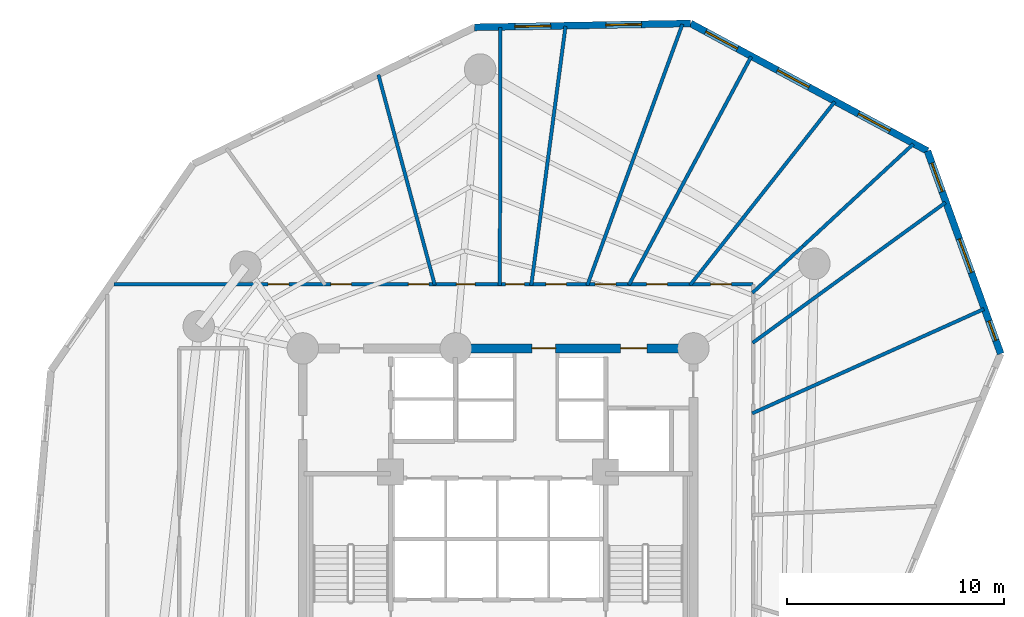
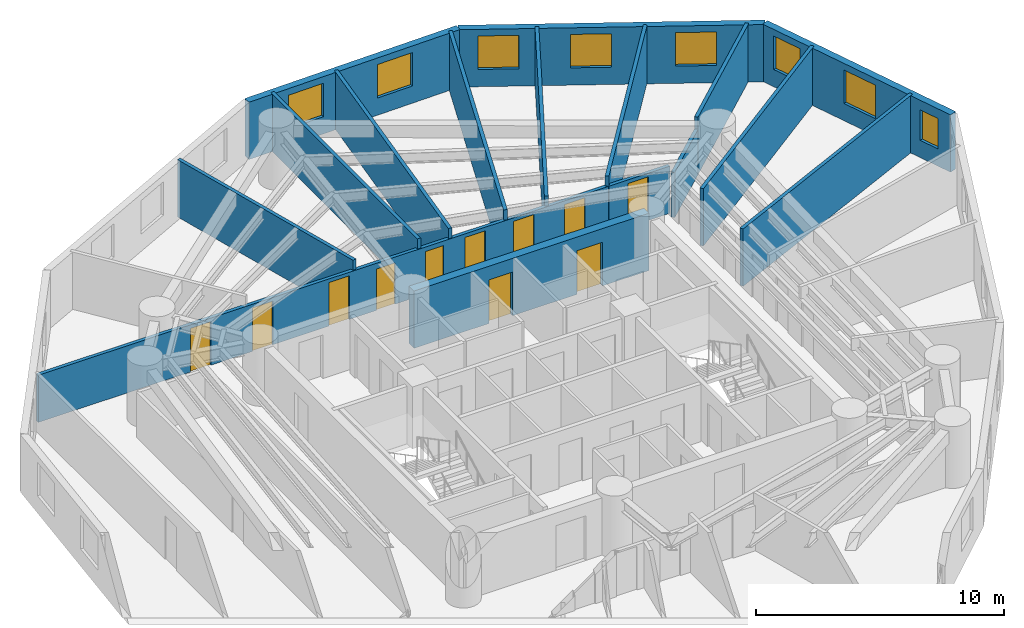
# One storey, part 6 of 8: 15 walls, 11 doors, 8 windows, 19 openings.
"""IFC4 building model written with IfcOpenShell, lengths in metres."""

from ifc_helpers import new_model, si_unit, direction, frame, frame_2d, origin, origin_with_axes, place, context, subcontext, project, spatial, rectangle, extrude, source, transform, mapped, material, layer, layer_set, type_object, element, fill, save


model = new_model("IFC4")

# Units and contexts
model_context = context("Model", 3, precision=1e-05, world=origin(), true_north=direction((0.0, 1.0)))
body_context = subcontext(model_context, "Body", "Model", "MODEL_VIEW")
ifc_project = project(units=[si_unit("LENGTHUNIT", "METRE"), si_unit("AREAUNIT", "SQUARE_METRE"), si_unit("VOLUMEUNIT", "CUBIC_METRE"), si_unit("PLANEANGLEUNIT", "RADIAN"), si_unit("MASSUNIT", "GRAM", prefix="KILO")], contexts=[model_context])

# Site, building, storey
site_placement = place(None, origin())
site = spatial("IfcSite", under=ifc_project, at=site_placement, CompositionType="ELEMENT")
building_placement = place(site_placement, origin())
building = spatial("IfcBuilding", under=site, at=building_placement, Name="Karkom Vertical University and Central Library", CompositionType="ELEMENT")
storey_placement = place(building_placement, frame((0.0, 0.0, 102.300048828125)))
storey = spatial("IfcBuildingStorey", under=building, at=storey_placement, Name="L27", CompositionType="ELEMENT", Elevation=102.300048828125)

# Wall, openings, windows
ifc_material_1 = material(Name="Brick-faced precast concrete C45/55", Category="masonry")
ifc_layer_1 = layer(ifc_material_1, 0.320068359375)
ifc_layer_set_1 = layer_set([ifc_layer_1], Name="Brick-faced precast concrete C45/55")
wall_type_1 = type_object("IfcWallType", Name="ENV-WL-BRK-320", PredefinedType="SOLIDWALL", material=ifc_layer_set_1)
wall_1_placement = place(storey_placement, frame((51.6591796875, 34.454345703125, 0.0), z_axis=(0.0, 0.0, 1.0), x_axis=(-0.339745317677, 0.940517474116, 0.0)))
wall_1 = element("IfcWall", 1, at=wall_1_placement, inside=storey, type_object=wall_type_1, Name="Level 27 Brick-Faced Precast Facade Wall 09", PredefinedType="SOLIDWALL", context=body_context, shape_type="SweptSolid", body=[
    extrude(rectangle(XDim=9.933837890625, YDim=0.320068359375, at=frame_2d((4.966796875, 0.0))), origin(), (0.0, 0.0, 1.0), 2.824951171875),
])
opening_1_placement = place(wall_1_placement, frame((0.65478515625, 0.0, 0.85009765625)))
opening_1 = element("IfcOpeningElement", 2, at=opening_1_placement, cuts=wall_1, Name="Opening WN-12", PredefinedType="OPENING", context=body_context, shape_type="SweptSolid", body=[
    extrude(rectangle(XDim=0.949951171875, YDim=1.5, at=frame_2d((0.47509765625, 0.75))), frame((0.0, 0.169921875, 0.0), z_axis=(0.0, -1.0, 0.0), x_axis=(1.0, 0.0, 0.0)), (0.0, 0.0, 1.0), 0.340087890625),
])
opening_2_placement = place(wall_1_placement, frame((3.978759765625, 0.0, 0.85009765625)))
opening_2 = element("IfcOpeningElement", 3, at=opening_2_placement, cuts=wall_1, Name="Opening WN-06", PredefinedType="OPENING", context=body_context, shape_type="SweptSolid", body=[
    extrude(rectangle(XDim=1.64990234375, YDim=1.64990234375, at=frame_2d((0.824951171875, 0.824951171875))), frame((0.0, 0.169921875, 0.0), z_axis=(0.0, -1.0, 0.0), x_axis=(1.0, 0.0, 0.0)), (0.0, 0.0, 1.0), 0.340087890625),
])
opening_3_placement = place(wall_1_placement, frame((7.94091796875, 0.0, 0.85009765625)))
opening_3 = element("IfcOpeningElement", 4, at=opening_3_placement, cuts=wall_1, Name="Opening WN-07", PredefinedType="OPENING", context=body_context, shape_type="SweptSolid", body=[
    extrude(rectangle(XDim=1.39990234375, YDim=1.64990234375, at=frame_2d((0.699951171875, 0.824951171875))), frame((0.0, 0.169921875, 0.0), z_axis=(0.0, -1.0, 0.0), x_axis=(1.0, 0.0, 0.0)), (0.0, 0.0, 1.0), 0.340087890625),
])
ifc_material_2 = material(Name="Aluminium thermal-break frame with solar-control IGU", Category="aluminium")
window_type_1 = type_object("IfcWindowType", Name="ENV-WIN-WN-06", PartitioningType="SINGLE_PANEL", PredefinedType="WINDOW", material=ifc_material_2)
shared_shape_1 = source(origin_with_axes(), body_context, "Body", "SweptSolid", [
    extrude(rectangle(XDim=1.64990234375, YDim=1.64990234375, at=frame_2d((0.824951171875, 0.824951171875))), frame((0.0, 0.030029296875, 0.0), z_axis=(0.0, -1.0, 0.0), x_axis=(1.0, 0.0, 0.0)), (0.0, 0.0, 1.0), 0.06005859375),
])
window_1_placement = place(opening_2_placement, origin())
window_1 = element("IfcWindow", 5, at=window_1_placement, inside=storey, type_object=window_type_1, Name="Level 27 Punched Window 9.2", OverallHeight=1.64990234375, OverallWidth=1.64990234375, PartitioningType="SINGLE_PANEL", PredefinedType="WINDOW", context=body_context, shape_type="MappedRepresentation", body=[
    mapped(shared_shape_1, transform((0.0, 0.0, 0.0), scale=1.0)),
])
fill(opening_2, window_1)
window_type_2 = type_object("IfcWindowType", Name="ENV-WIN-WN-12", PartitioningType="SINGLE_PANEL", PredefinedType="WINDOW", material=ifc_material_2)
shared_shape_2 = source(origin_with_axes(), body_context, "Body", "SweptSolid", [
    extrude(rectangle(XDim=0.949951171875, YDim=1.5, at=frame_2d((0.47509765625, 0.75))), frame((0.0, 0.030029296875, 0.0), z_axis=(0.0, -1.0, 0.0), x_axis=(1.0, 0.0, 0.0)), (0.0, 0.0, 1.0), 0.06005859375),
])
window_2_placement = place(opening_1_placement, origin())
window_2 = element("IfcWindow", 6, at=window_2_placement, inside=storey, type_object=window_type_2, Name="Level 27 Punched Window 9.1", OverallHeight=1.5, OverallWidth=0.949951171875, PartitioningType="SINGLE_PANEL", PredefinedType="WINDOW", context=body_context, shape_type="MappedRepresentation", body=[
    mapped(shared_shape_2, transform((0.0, 0.0, 0.0), scale=1.0)),
])
fill(opening_1, window_2)
window_type_3 = type_object("IfcWindowType", Name="ENV-WIN-WN-07", PartitioningType="SINGLE_PANEL", PredefinedType="WINDOW", material=ifc_material_2)
shared_shape_3 = source(origin_with_axes(), body_context, "Body", "SweptSolid", [
    extrude(rectangle(XDim=1.39990234375, YDim=1.64990234375, at=frame_2d((0.699951171875, 0.824951171875))), frame((0.0, 0.030029296875, 0.0), z_axis=(0.0, -1.0, 0.0), x_axis=(1.0, 0.0, 0.0)), (0.0, 0.0, 1.0), 0.06005859375),
])
window_3_placement = place(opening_3_placement, origin())
window_3 = element("IfcWindow", 7, at=window_3_placement, inside=storey, type_object=window_type_3, Name="Level 27 Punched Window 9.3", OverallHeight=1.64990234375, OverallWidth=1.39990234375, PartitioningType="SINGLE_PANEL", PredefinedType="WINDOW", context=body_context, shape_type="MappedRepresentation", body=[
    mapped(shared_shape_3, transform((0.0, 0.0, 0.0), scale=1.0)),
])
fill(opening_3, window_3)

wall_2_placement = place(storey_placement, frame((48.2841796875, 43.79736328125, 0.0), z_axis=(0.0, 0.0, 1.0), x_axis=(-0.880488809992, 0.474066931434, 0.0)))
wall_2 = element("IfcWall", 8, at=wall_2_placement, inside=storey, type_object=wall_type_1, Name="Level 27 Brick-Faced Precast Facade Wall 10", PredefinedType="SOLIDWALL", context=body_context, shape_type="SweptSolid", body=[
    extrude(rectangle(XDim=12.393798828125, YDim=0.320068359375, at=frame_2d((6.19677734375, 0.0))), origin(), (0.0, 0.0, 1.0), 2.824951171875),
])
opening_4_placement = place(wall_2_placement, frame((1.96630859375, 0.0, 0.85009765625)))
opening_4 = element("IfcOpeningElement", 9, at=opening_4_placement, cuts=wall_2, Name="Opening WN-06", PredefinedType="OPENING", context=body_context, shape_type="SweptSolid", body=[
    extrude(rectangle(XDim=1.64990234375, YDim=1.64990234375, at=frame_2d((0.824951171875, 0.824951171875))), frame((0.0, 0.169921875, 0.0), z_axis=(0.0, -1.0, 0.0), x_axis=(1.0, 0.0, 0.0)), (0.0, 0.0, 1.0), 0.340087890625),
])
opening_5_placement = place(wall_2_placement, frame((6.203857421875, 0.0, 0.85009765625)))
opening_5 = element("IfcOpeningElement", 10, at=opening_5_placement, cuts=wall_2, Name="Opening WN-06", PredefinedType="OPENING", context=body_context, shape_type="SweptSolid", body=[
    extrude(rectangle(XDim=1.64990234375, YDim=1.64990234375, at=frame_2d((0.824951171875, 0.824951171875))), frame((0.0, 0.169921875, 0.0), z_axis=(0.0, -1.0, 0.0), x_axis=(1.0, 0.0, 0.0)), (0.0, 0.0, 1.0), 0.340087890625),
])
opening_6_placement = place(wall_2_placement, frame((9.94921875, 0.0, 0.85009765625)))
opening_6 = element("IfcOpeningElement", 11, at=opening_6_placement, cuts=wall_2, Name="Opening WN-06", PredefinedType="OPENING", context=body_context, shape_type="SweptSolid", body=[
    extrude(rectangle(XDim=1.64990234375, YDim=1.64990234375, at=frame_2d((0.824951171875, 0.824951171875))), frame((0.0, 0.169921875, 0.0), z_axis=(0.0, -1.0, 0.0), x_axis=(1.0, 0.0, 0.0)), (0.0, 0.0, 1.0), 0.340087890625),
])
window_4_placement = place(opening_4_placement, origin())
window_4 = element("IfcWindow", 12, at=window_4_placement, inside=storey, type_object=window_type_1, Name="Level 27 Punched Window 10.1", OverallHeight=1.64990234375, OverallWidth=1.64990234375, PartitioningType="SINGLE_PANEL", PredefinedType="WINDOW", context=body_context, shape_type="MappedRepresentation", body=[
    mapped(shared_shape_1, transform((0.0, 0.0, 0.0), scale=1.0)),
])
fill(opening_4, window_4)
window_5_placement = place(opening_5_placement, origin())
window_5 = element("IfcWindow", 13, at=window_5_placement, inside=storey, type_object=window_type_1, Name="Level 27 Punched Window 10.2", OverallHeight=1.64990234375, OverallWidth=1.64990234375, PartitioningType="SINGLE_PANEL", PredefinedType="WINDOW", context=body_context, shape_type="MappedRepresentation", body=[
    mapped(shared_shape_1, transform((0.0, 0.0, 0.0), scale=1.0)),
])
fill(opening_5, window_5)
window_6_placement = place(opening_6_placement, origin())
window_6 = element("IfcWindow", 14, at=window_6_placement, inside=storey, type_object=window_type_1, Name="Level 27 Punched Window 10.3", OverallHeight=1.64990234375, OverallWidth=1.64990234375, PartitioningType="SINGLE_PANEL", PredefinedType="WINDOW", context=body_context, shape_type="MappedRepresentation", body=[
    mapped(shared_shape_1, transform((0.0, 0.0, 0.0), scale=1.0)),
])
fill(opening_6, window_6)

wall_3_placement = place(storey_placement, frame((37.37158203125, 49.6728515625, 0.0), z_axis=(0.0, 0.0, 1.0), x_axis=(-0.999841497085, -0.017803951997, 0.0)))
wall_3 = element("IfcWall", 15, at=wall_3_placement, inside=storey, type_object=wall_type_1, Name="Level 27 Brick-Faced Precast Facade Wall 11", PredefinedType="SOLIDWALL", context=body_context, shape_type="SweptSolid", body=[
    extrude(rectangle(XDim=9.955322265625, YDim=0.320068359375, at=frame_2d((4.9775390625, 0.0))), origin(), (0.0, 0.0, 1.0), 2.824951171875),
])
opening_7_placement = place(wall_3_placement, frame((2.25732421875, 0.0, 0.85009765625)))
opening_7 = element("IfcOpeningElement", 16, at=opening_7_placement, cuts=wall_3, Name="Opening WN-06", PredefinedType="OPENING", context=body_context, shape_type="SweptSolid", body=[
    extrude(rectangle(XDim=1.64990234375, YDim=1.64990234375, at=frame_2d((0.824951171875, 0.824951171875))), frame((0.0, 0.169921875, 0.0), z_axis=(0.0, -1.0, 0.0), x_axis=(1.0, 0.0, 0.0)), (0.0, 0.0, 1.0), 0.340087890625),
])
opening_8_placement = place(wall_3_placement, frame((6.4462890625, 0.0, 0.85009765625)))
opening_8 = element("IfcOpeningElement", 17, at=opening_8_placement, cuts=wall_3, Name="Opening WN-06", PredefinedType="OPENING", context=body_context, shape_type="SweptSolid", body=[
    extrude(rectangle(XDim=1.64990234375, YDim=1.64990234375, at=frame_2d((0.824951171875, 0.824951171875))), frame((0.0, 0.169921875, 0.0), z_axis=(0.0, -1.0, 0.0), x_axis=(1.0, 0.0, 0.0)), (0.0, 0.0, 1.0), 0.340087890625),
])
window_7_placement = place(opening_7_placement, origin())
window_7 = element("IfcWindow", 18, at=window_7_placement, inside=storey, type_object=window_type_1, Name="Level 27 Punched Window 11.1", OverallHeight=1.64990234375, OverallWidth=1.64990234375, PartitioningType="SINGLE_PANEL", PredefinedType="WINDOW", context=body_context, shape_type="MappedRepresentation", body=[
    mapped(shared_shape_1, transform((0.0, 0.0, 0.0), scale=1.0)),
])
fill(opening_7, window_7)
window_8_placement = place(opening_8_placement, origin())
window_8 = element("IfcWindow", 19, at=window_8_placement, inside=storey, type_object=window_type_1, Name="Level 27 Punched Window 11.2", OverallHeight=1.64990234375, OverallWidth=1.64990234375, PartitioningType="SINGLE_PANEL", PredefinedType="WINDOW", context=body_context, shape_type="MappedRepresentation", body=[
    mapped(shared_shape_1, transform((0.0, 0.0, 0.0), scale=1.0)),
])
fill(opening_8, window_8)

# Wall, openings, doors
ifc_material_3 = material(Name="Insulated metal-stud drywall 160mm", Category="gypsum")
ifc_layer_2 = layer(ifc_material_3, 0.159912109375)
ifc_layer_set_2 = layer_set([ifc_layer_2], Name="Insulated metal-stud drywall 160mm")
wall_type_2 = type_object("IfcWallType", Name="INT-WL-COR-160", PredefinedType="PARTITIONING", material=ifc_layer_set_2)
wall_4_placement = place(storey_placement, frame((10.810302734375, 37.64990234375, 0.0), z_axis=(0.0, 0.0, 1.0), x_axis=(1.0, 0.0, 0.0)))
wall_4 = element("IfcWall", 20, at=wall_4_placement, inside=storey, type_object=wall_type_2, Name="Level 27 Interior Partition Wall L27-CORW-CW-003", PredefinedType="PARTITIONING", context=body_context, shape_type="SweptSolid", body=[
    extrude(rectangle(XDim=29.439697265625, YDim=0.159912109375, at=frame_2d((14.7197265625, 0.0))), origin(), (0.0, 0.0, 1.0), 2.324951171875),
])
opening_9_placement = place(wall_4_placement, frame((27.485595703125, 0.0, 0.0)))
opening_9 = element("IfcOpeningElement", 21, at=opening_9_placement, cuts=wall_4, Name="Opening D-RM1", PredefinedType="OPENING", context=body_context, shape_type="SweptSolid", body=[
    extrude(rectangle(XDim=0.949951171875, YDim=2.14990234375, at=frame_2d((0.47509765625, 1.074951171875))), frame((0.0, 0.08984375, 0.0), z_axis=(0.0, -1.0, 0.0), x_axis=(1.0, 0.0, 0.0)), (0.0, 0.0, 1.0), 0.179931640625),
])
opening_10_placement = place(wall_4_placement, frame((24.53515625, 0.0, 0.0)))
opening_10 = element("IfcOpeningElement", 22, at=opening_10_placement, cuts=wall_4, Name="Opening D-RM1", PredefinedType="OPENING", context=body_context, shape_type="SweptSolid", body=[
    extrude(rectangle(XDim=0.949951171875, YDim=2.14990234375, at=frame_2d((0.47509765625, 1.074951171875))), frame((0.0, 0.08984375, 0.0), z_axis=(0.0, -1.0, 0.0), x_axis=(1.0, 0.0, 0.0)), (0.0, 0.0, 1.0), 0.179931640625),
])
opening_11_placement = place(wall_4_placement, frame((22.160888671875, 0.0, 0.0)))
opening_11 = element("IfcOpeningElement", 23, at=opening_11_placement, cuts=wall_4, Name="Opening D-RM1", PredefinedType="OPENING", context=body_context, shape_type="SweptSolid", body=[
    extrude(rectangle(XDim=0.949951171875, YDim=2.14990234375, at=frame_2d((0.47509765625, 1.074951171875))), frame((0.0, 0.08984375, 0.0), z_axis=(0.0, -1.0, 0.0), x_axis=(1.0, 0.0, 0.0)), (0.0, 0.0, 1.0), 0.179931640625),
])
opening_12_placement = place(wall_4_placement, frame((19.888427734375, 0.0, 0.0)))
opening_12 = element("IfcOpeningElement", 24, at=opening_12_placement, cuts=wall_4, Name="Opening D-RM1", PredefinedType="OPENING", context=body_context, shape_type="SweptSolid", body=[
    extrude(rectangle(XDim=0.949951171875, YDim=2.14990234375, at=frame_2d((0.47509765625, 1.074951171875))), frame((0.0, 0.08984375, 0.0), z_axis=(0.0, -1.0, 0.0), x_axis=(1.0, 0.0, 0.0)), (0.0, 0.0, 1.0), 0.179931640625),
])
opening_13_placement = place(wall_4_placement, frame((18.0400390625, 0.0, 0.0)))
opening_13 = element("IfcOpeningElement", 25, at=opening_13_placement, cuts=wall_4, Name="Opening D-BATH", PredefinedType="OPENING", context=body_context, shape_type="SweptSolid", body=[
    extrude(rectangle(XDim=0.860107421875, YDim=2.10009765625, at=frame_2d((0.43017578125, 1.050048828125))), frame((0.0, 0.08984375, 0.0), z_axis=(0.0, -1.0, 0.0), x_axis=(1.0, 0.0, 0.0)), (0.0, 0.0, 1.0), 0.179931640625),
])
opening_14_placement = place(wall_4_placement, frame((13.548828125, 0.0, 0.0)))
opening_14 = element("IfcOpeningElement", 26, at=opening_14_placement, cuts=wall_4, Name="Opening D-RM1", PredefinedType="OPENING", context=body_context, shape_type="SweptSolid", body=[
    extrude(rectangle(XDim=0.949951171875, YDim=2.14990234375, at=frame_2d((0.47509765625, 1.074951171875))), frame((0.0, 0.08984375, 0.0), z_axis=(0.0, -1.0, 0.0), x_axis=(1.0, 0.0, 0.0)), (0.0, 0.0, 1.0), 0.179931640625),
])
opening_15_placement = place(wall_4_placement, frame((9.979736328125, 0.0, 0.0)))
opening_15 = element("IfcOpeningElement", 27, at=opening_15_placement, cuts=wall_4, Name="Opening D-RM1", PredefinedType="OPENING", context=body_context, shape_type="SweptSolid", body=[
    extrude(rectangle(XDim=0.949951171875, YDim=2.14990234375, at=frame_2d((0.47509765625, 1.074951171875))), frame((0.0, 0.08984375, 0.0), z_axis=(0.0, -1.0, 0.0), x_axis=(1.0, 0.0, 0.0)), (0.0, 0.0, 1.0), 0.179931640625),
])
opening_16_placement = place(wall_4_placement, frame((7.096923828125, 0.0, 0.0)))
opening_16 = element("IfcOpeningElement", 28, at=opening_16_placement, cuts=wall_4, Name="Opening D-RM1", PredefinedType="OPENING", context=body_context, shape_type="SweptSolid", body=[
    extrude(rectangle(XDim=0.949951171875, YDim=2.14990234375, at=frame_2d((0.47509765625, 1.074951171875))), frame((0.0, 0.08984375, 0.0), z_axis=(0.0, -1.0, 0.0), x_axis=(1.0, 0.0, 0.0)), (0.0, 0.0, 1.0), 0.179931640625),
])
opening_17_placement = place(wall_4_placement, frame((15.768798828125, 0.0, 0.0)))
opening_17 = element("IfcOpeningElement", 29, at=opening_17_placement, cuts=wall_4, Name="Opening FD-BTH2", PredefinedType="OPENING", context=body_context, shape_type="SweptSolid", body=[
    extrude(rectangle(XDim=0.860107421875, YDim=2.0400390625, at=frame_2d((0.43017578125, 1.02001953125))), frame((0.0, 0.08984375, 0.0), z_axis=(0.0, -1.0, 0.0), x_axis=(1.0, 0.0, 0.0)), (0.0, 0.0, 1.0), 0.179931640625),
])
ifc_material_4 = material(Name="Fire-rated moisture-resistant oak door", Category="wood")
door_type_1 = type_object("IfcDoorType", Name="INT-DR-FBTH2", OperationType="NOTDEFINED", PredefinedType="DOOR", material=ifc_material_4)
shared_shape_4 = source(origin_with_axes(), body_context, "Body", "SweptSolid", [
    extrude(rectangle(XDim=0.860107421875, YDim=2.0400390625, at=frame_2d((0.43017578125, 1.02001953125))), frame((0.0, 0.02490234375, 0.0), z_axis=(0.0, -1.0, 0.0), x_axis=(1.0, 0.0, 0.0)), (0.0, 0.0, 1.0), 0.050048828125),
])
door_1_placement = place(opening_17_placement, origin())
door_1 = element("IfcDoor", 30, at=door_1_placement, inside=storey, type_object=door_type_1, Name="Level 27 Campus Student Health Counseling Clinic Entry Door", OperationType="SINGLE_SWING_RIGHT", OverallHeight=2.0400390625, OverallWidth=0.860107421875, PredefinedType="DOOR", context=body_context, shape_type="MappedRepresentation", body=[
    mapped(shared_shape_4, transform((0.0, 0.0, 0.0), scale=1.0)),
])
fill(opening_17, door_1)
ifc_material_5 = material(Name="Moisture-resistant oak door", Category="wood")
door_type_2 = type_object("IfcDoorType", Name="INT-DR-BATH", OperationType="NOTDEFINED", PredefinedType="DOOR", material=ifc_material_5)
shared_shape_5 = source(origin_with_axes(), body_context, "Body", "SweptSolid", [
    extrude(rectangle(XDim=0.860107421875, YDim=2.10009765625, at=frame_2d((0.43017578125, 1.050048828125))), frame((0.0, 0.02490234375, 0.0), z_axis=(0.0, -1.0, 0.0), x_axis=(1.0, 0.0, 0.0)), (0.0, 0.0, 1.0), 0.050048828125),
])
door_2_placement = place(opening_13_placement, origin())
door_2 = element("IfcDoor", 31, at=door_2_placement, inside=storey, type_object=door_type_2, Name="Level 27 Room Entry Door 200", OperationType="SINGLE_SWING_RIGHT", OverallHeight=2.10009765625, OverallWidth=0.860107421875, PredefinedType="DOOR", context=body_context, shape_type="MappedRepresentation", body=[
    mapped(shared_shape_5, transform((0.0, 0.0, 0.0), scale=1.0)),
])
fill(opening_13, door_2)
ifc_material_6 = material(Name="Solid-core oak veneer door", Category="wood")
door_type_3 = type_object("IfcDoorType", Name="INT-DR-RM1", OperationType="NOTDEFINED", PredefinedType="DOOR", material=ifc_material_6)
shared_shape_6 = source(origin_with_axes(), body_context, "Body", "SweptSolid", [
    extrude(rectangle(XDim=0.949951171875, YDim=2.14990234375, at=frame_2d((0.47509765625, 1.074951171875))), frame((0.0, 0.02490234375, 0.0), z_axis=(0.0, -1.0, 0.0), x_axis=(1.0, 0.0, 0.0)), (0.0, 0.0, 1.0), 0.050048828125),
])
door_3_placement = place(opening_9_placement, origin())
door_3 = element("IfcDoor", 32, at=door_3_placement, inside=storey, type_object=door_type_3, Name="Level 27 Room Entry Door 160", OperationType="SINGLE_SWING_RIGHT", OverallHeight=2.14990234375, OverallWidth=0.949951171875, PredefinedType="DOOR", context=body_context, shape_type="MappedRepresentation", body=[
    mapped(shared_shape_6, transform((0.0, 0.0, 0.0), scale=1.0)),
])
fill(opening_9, door_3)
door_4_placement = place(opening_10_placement, origin())
door_4 = element("IfcDoor", 33, at=door_4_placement, inside=storey, type_object=door_type_3, Name="Level 27 Room Entry Door 170", OperationType="SINGLE_SWING_LEFT", OverallHeight=2.14990234375, OverallWidth=0.949951171875, PredefinedType="DOOR", context=body_context, shape_type="MappedRepresentation", body=[
    mapped(shared_shape_6, transform((0.0, 0.0, 0.0), scale=1.0)),
])
fill(opening_10, door_4)
door_5_placement = place(opening_11_placement, origin())
door_5 = element("IfcDoor", 34, at=door_5_placement, inside=storey, type_object=door_type_3, Name="Level 27 Room Entry Door 180", OperationType="SINGLE_SWING_RIGHT", OverallHeight=2.14990234375, OverallWidth=0.949951171875, PredefinedType="DOOR", context=body_context, shape_type="MappedRepresentation", body=[
    mapped(shared_shape_6, transform((0.0, 0.0, 0.0), scale=1.0)),
])
fill(opening_11, door_5)
door_6_placement = place(opening_12_placement, origin())
door_6 = element("IfcDoor", 35, at=door_6_placement, inside=storey, type_object=door_type_3, Name="Level 27 Room Entry Door 190", OperationType="SINGLE_SWING_LEFT", OverallHeight=2.14990234375, OverallWidth=0.949951171875, PredefinedType="DOOR", context=body_context, shape_type="MappedRepresentation", body=[
    mapped(shared_shape_6, transform((0.0, 0.0, 0.0), scale=1.0)),
])
fill(opening_12, door_6)
door_7_placement = place(opening_14_placement, origin())
door_7 = element("IfcDoor", 36, at=door_7_placement, inside=storey, type_object=door_type_3, Name="Level 27 Room Entry Door 210", OperationType="SINGLE_SWING_LEFT", OverallHeight=2.14990234375, OverallWidth=0.949951171875, PredefinedType="DOOR", context=body_context, shape_type="MappedRepresentation", body=[
    mapped(shared_shape_6, transform((0.0, 0.0, 0.0), scale=1.0)),
])
fill(opening_14, door_7)
door_8_placement = place(opening_15_placement, origin())
door_8 = element("IfcDoor", 37, at=door_8_placement, inside=storey, type_object=door_type_3, Name="Level 27 Room Entry Door 220", OperationType="SINGLE_SWING_RIGHT", OverallHeight=2.14990234375, OverallWidth=0.949951171875, PredefinedType="DOOR", context=body_context, shape_type="MappedRepresentation", body=[
    mapped(shared_shape_6, transform((0.0, 0.0, 0.0), scale=1.0)),
])
fill(opening_15, door_8)
door_9_placement = place(opening_16_placement, origin())
door_9 = element("IfcDoor", 38, at=door_9_placement, inside=storey, type_object=door_type_3, Name="Level 27 Room Entry Door 230", OperationType="SINGLE_SWING_LEFT", OverallHeight=2.14990234375, OverallWidth=0.949951171875, PredefinedType="DOOR", context=body_context, shape_type="MappedRepresentation", body=[
    mapped(shared_shape_6, transform((0.0, 0.0, 0.0), scale=1.0)),
])
fill(opening_16, door_9)

# Walls
wall_5_placement = place(storey_placement, frame((32.6103515625, 37.607666015625, 0.0), z_axis=(0.0, 0.0, 1.0), x_axis=(0.342286569157, 0.939595606937, 0.0)))
element("IfcWall", 39, at=wall_5_placement, inside=storey, type_object=wall_type_2, Name="Level 27 Interior Partition Wall L27-PW-021", PredefinedType="PARTITIONING", context=body_context, shape_type="SweptSolid", body=[
    extrude(rectangle(XDim=12.802490234375, YDim=0.159912109375, at=frame_2d((6.4013671875, 0.0))), origin(), (0.0, 0.0, 1.0), 2.824951171875),
])
wall_6_placement = place(storey_placement, frame((30.028076171875, 37.60546875, 0.0), z_axis=(0.0, 0.0, 1.0), x_axis=(0.131000399209, 0.99138231546, 0.0)))
element("IfcWall", 40, at=wall_6_placement, inside=storey, type_object=wall_type_2, Name="Level 27 Interior Partition Wall L27-PW-022", PredefinedType="PARTITIONING", context=body_context, shape_type="SweptSolid", body=[
    extrude(rectangle(XDim=12.04296875, YDim=0.159912109375, at=frame_2d((6.021484375, 0.0))), origin(), (0.0, 0.0, 1.0), 2.824951171875),
])
wall_7_placement = place(storey_placement, frame((34.525146484375, 37.62353515625, 0.0), z_axis=(0.0, 0.0, 1.0), x_axis=(0.472111271735, 0.881538965163, 0.0)))
element("IfcWall", 41, at=wall_7_placement, inside=storey, type_object=wall_type_2, Name="Level 27 Interior Partition Wall L27-PW-020", PredefinedType="PARTITIONING", context=body_context, shape_type="SweptSolid", body=[
    extrude(rectangle(XDim=11.93359375, YDim=0.159912109375, at=frame_2d((5.966796875, 0.0))), origin(), (0.0, 0.0, 1.0), 2.824951171875),
])
wall_8_placement = place(storey_placement, frame((28.5810546875, 37.60498046875, 0.0), z_axis=(0.0, 0.0, 1.0), x_axis=(0.001889540466, 0.999998214817, 0.0)))
element("IfcWall", 42, at=wall_8_placement, inside=storey, type_object=wall_type_2, Name="Level 27 Interior Partition Wall L27-PW-023", PredefinedType="PARTITIONING", context=body_context, shape_type="SweptSolid", body=[
    extrude(rectangle(XDim=11.886962890625, YDim=0.159912109375, at=frame_2d((5.943359375, 0.0))), origin(), (0.0, 0.0, 1.0), 2.824951171875),
])
wall_9_placement = place(storey_placement, frame((40.208984375, 31.70751953125, 0.0), z_axis=(0.0, 0.0, 1.0), x_axis=(0.911796648039, 0.410642024914, 0.0)))
element("IfcWall", 43, at=wall_9_placement, inside=storey, type_object=wall_type_2, Name="Level 27 Interior Partition Wall L27-PW-015", PredefinedType="PARTITIONING", context=body_context, shape_type="SweptSolid", body=[
    extrude(rectangle(XDim=11.711669921875, YDim=0.159912109375, at=frame_2d((5.85595703125, 0.0))), origin(), (0.0, 0.0, 1.0), 2.824951171875),
])
wall_10_placement = place(storey_placement, frame((40.2255859375, 34.9560546875, 0.0), z_axis=(0.0, 0.0, 1.0), x_axis=(0.808658270131, 0.588278677285, 0.0)))
element("IfcWall", 44, at=wall_10_placement, inside=storey, type_object=wall_type_2, Name="Level 27 Interior Partition Wall L27-PW-016", PredefinedType="PARTITIONING", context=body_context, shape_type="SweptSolid", body=[
    extrude(rectangle(XDim=10.99072265625, YDim=0.159912109375, at=frame_2d((5.495361328125, 0.0))), origin(), (0.0, 0.0, 1.0), 2.824951171875),
])
wall_11_placement = place(storey_placement, frame((37.344482421875, 37.614501953125, 0.0), z_axis=(0.0, 0.0, 1.0), x_axis=(0.619354574557, 0.78511140036, 0.0)))
element("IfcWall", 45, at=wall_11_placement, inside=storey, type_object=wall_type_2, Name="Level 27 Interior Partition Wall L27-PW-019", PredefinedType="PARTITIONING", context=body_context, shape_type="SweptSolid", body=[
    extrude(rectangle(XDim=10.766845703125, YDim=0.159912109375, at=frame_2d((5.38330078125, 0.0))), origin(), (0.0, 0.0, 1.0), 2.824951171875),
])
wall_12_placement = place(storey_placement, frame((25.58154296875, 37.62109375, 0.0), z_axis=(0.0, 0.0, 1.0), x_axis=(-0.258875548474, 0.965910684485, 0.0)))
element("IfcWall", 46, at=wall_12_placement, inside=storey, type_object=wall_type_2, Name="Level 27 Interior Partition Wall L27-PW-024", PredefinedType="PARTITIONING", context=body_context, shape_type="SweptSolid", body=[
    extrude(rectangle(XDim=10.033447265625, YDim=0.159912109375, at=frame_2d((5.0166015625, 0.0))), origin(), (0.0, 0.0, 1.0), 2.824951171875),
])
wall_13_placement = place(storey_placement, frame((42.552490234375, 39.419921875, 0.0), z_axis=(0.0, 0.0, 1.0), x_axis=(0.734016739851, 0.679131375816, 0.0)))
element("IfcWall", 47, at=wall_13_placement, inside=storey, type_object=wall_type_2, Name="Level 27 Interior Partition Wall L27-PW-018", PredefinedType="PARTITIONING", context=body_context, shape_type="SweptSolid", body=[
    extrude(rectangle(XDim=6.9169921875, YDim=0.159912109375, at=frame_2d((3.45849609375, 0.0))), origin(), (0.0, 0.0, 1.0), 2.824951171875),
])
wall_14_placement = place(storey_placement, frame((40.217041015625, 37.259033203125, 0.0), z_axis=(0.0, 0.0, 1.0), x_axis=(0.733990331383, 0.679159917425, 0.0)))
element("IfcWall", 48, at=wall_14_placement, inside=storey, type_object=wall_type_2, Name="Level 27 Interior Partition Wall L27-PW-017", PredefinedType="PARTITIONING", context=body_context, shape_type="SweptSolid", body=[
    extrude(rectangle(XDim=3.17919921875, YDim=0.159912109375, at=frame_2d((1.589599609375, 0.0))), origin(), (0.0, 0.0, 1.0), 2.224853515625),
])

# Wall, openings, doors
ifc_material_7 = material(Name="Concrete C50/60", Category="concrete")
ifc_layer_3 = layer(ifc_material_7, 0.39990234375)
ifc_layer_set_3 = layer_set([ifc_layer_3], Name="Concrete C50/60")
wall_type_3 = type_object("IfcWallType", Name="STR-WL-CW-400", PredefinedType="SHEAR", material=ifc_layer_set_3)
wall_15_placement = place(storey_placement, frame((37.5, 34.699951171875, 0.0), z_axis=(0.0, 0.0, 1.0), x_axis=(-1.0, 0.0, 0.0)))
wall_15 = element("IfcWall", 49, at=wall_15_placement, inside=storey, type_object=wall_type_3, Name="Level 27 Central Core Shear Wall NW1", PredefinedType="SHEAR", context=body_context, shape_type="SweptSolid", body=[
    extrude(rectangle(XDim=10.949951171875, YDim=0.39990234375, at=frame_2d((5.47509765625, 0.0))), origin(), (0.0, 0.0, 1.0), 2.824951171875),
])
opening_18_placement = place(wall_15_placement, frame((2.14990234375, 0.0, 0.0)))
opening_18 = element("IfcOpeningElement", 50, at=opening_18_placement, cuts=wall_15, Name="Opening FD-SUB1", PredefinedType="OPENING", context=body_context, shape_type="SweptSolid", body=[
    extrude(rectangle(XDim=1.199951171875, YDim=2.14990234375, at=frame_2d((0.60009765625, 1.074951171875))), frame((0.0, 0.2099609375, 0.0), z_axis=(0.0, -1.0, 0.0), x_axis=(1.0, 0.0, 0.0)), (0.0, 0.0, 1.0), 0.419921875),
])
opening_19_placement = place(wall_15_placement, frame((6.35009765625, 0.0, 0.0)))
opening_19 = element("IfcOpeningElement", 51, at=opening_19_placement, cuts=wall_15, Name="Opening FD-FFL", PredefinedType="OPENING", context=body_context, shape_type="SweptSolid", body=[
    extrude(rectangle(XDim=1.10009765625, YDim=2.14990234375, at=frame_2d((0.550048828125, 1.074951171875))), frame((0.0, 0.2099609375, 0.0), z_axis=(0.0, -1.0, 0.0), x_axis=(1.0, 0.0, 0.0)), (0.0, 0.0, 1.0), 0.419921875),
])
ifc_material_8 = material(Name="Painted steel smoke-seal fire door", Category="steel")
door_type_4 = type_object("IfcDoorType", Name="INT-DR-FFL", OperationType="NOTDEFINED", PredefinedType="DOOR", material=ifc_material_8)
shared_shape_7 = source(origin_with_axes(), body_context, "Body", "SweptSolid", [
    extrude(rectangle(XDim=1.10009765625, YDim=2.14990234375, at=frame_2d((0.550048828125, 1.074951171875))), frame((0.0, 0.02490234375, 0.0), z_axis=(0.0, -1.0, 0.0), x_axis=(1.0, 0.0, 0.0)), (0.0, 0.0, 1.0), 0.050048828125),
])
door_10_placement = place(opening_19_placement, origin())
door_10 = element("IfcDoor", 52, at=door_10_placement, inside=storey, type_object=door_type_4, Name="Level 27 North Core Lobby Exit Door", OperationType="SINGLE_SWING_LEFT", OverallHeight=2.14990234375, OverallWidth=1.10009765625, PredefinedType="DOOR", context=body_context, shape_type="MappedRepresentation", body=[
    mapped(shared_shape_7, transform((0.0, 0.0, 0.0), scale=1.0)),
])
fill(opening_19, door_10)
ifc_material_9 = material(Name="Painted steel fire door", Category="steel")
door_type_5 = type_object("IfcDoorType", Name="INT-DR-SUB1", OperationType="NOTDEFINED", PredefinedType="DOOR", material=ifc_material_9)
shared_shape_8 = source(origin_with_axes(), body_context, "Body", "SweptSolid", [
    extrude(rectangle(XDim=1.199951171875, YDim=2.14990234375, at=frame_2d((0.60009765625, 1.074951171875))), frame((0.0, 0.02490234375, 0.0), z_axis=(0.0, -1.0, 0.0), x_axis=(1.0, 0.0, 0.0)), (0.0, 0.0, 1.0), 0.050048828125),
])
door_11_placement = place(opening_18_placement, origin())
door_11 = element("IfcDoor", 53, at=door_11_placement, inside=storey, type_object=door_type_5, Name="Level 27 Service Lobby Fire Door", OperationType="SINGLE_SWING_LEFT", OverallHeight=2.14990234375, OverallWidth=1.199951171875, PredefinedType="DOOR", context=body_context, shape_type="MappedRepresentation", body=[
    mapped(shared_shape_8, transform((0.0, 0.0, 0.0), scale=1.0)),
])
fill(opening_18, door_11)

save(model, "model.ifc")
